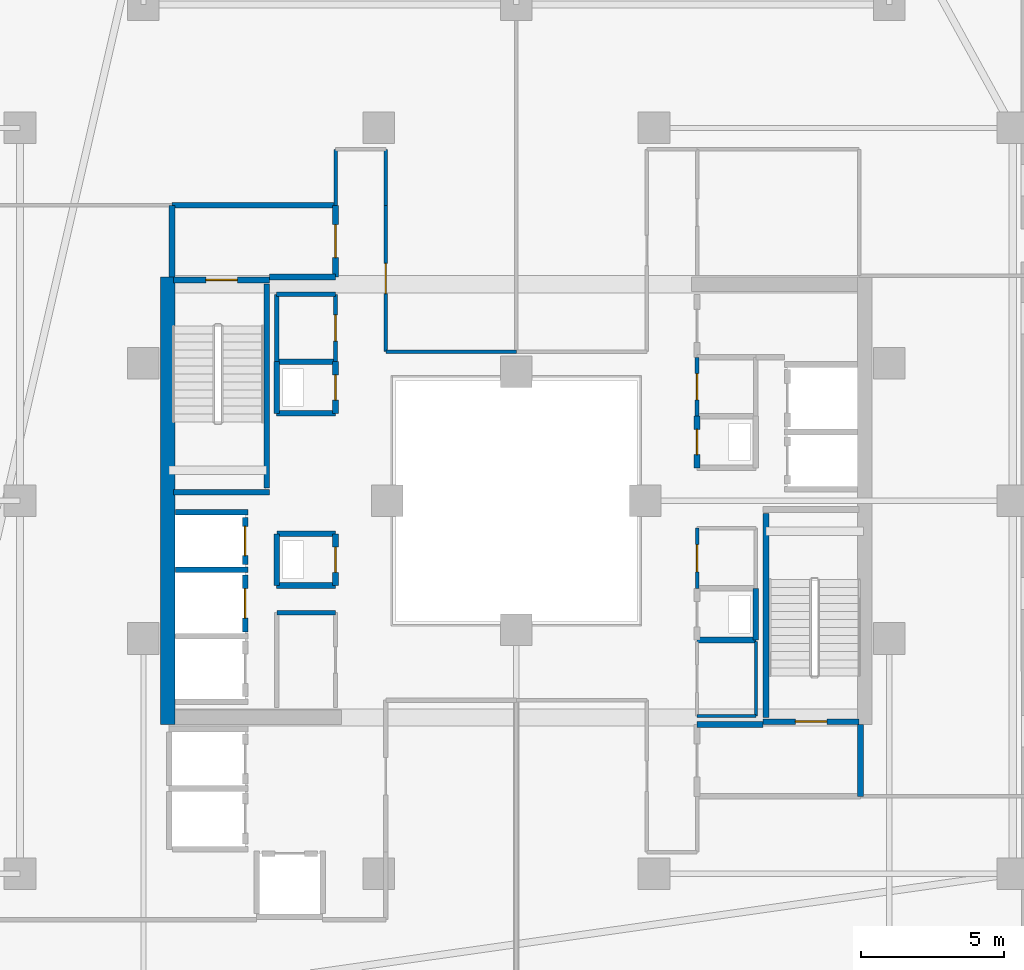
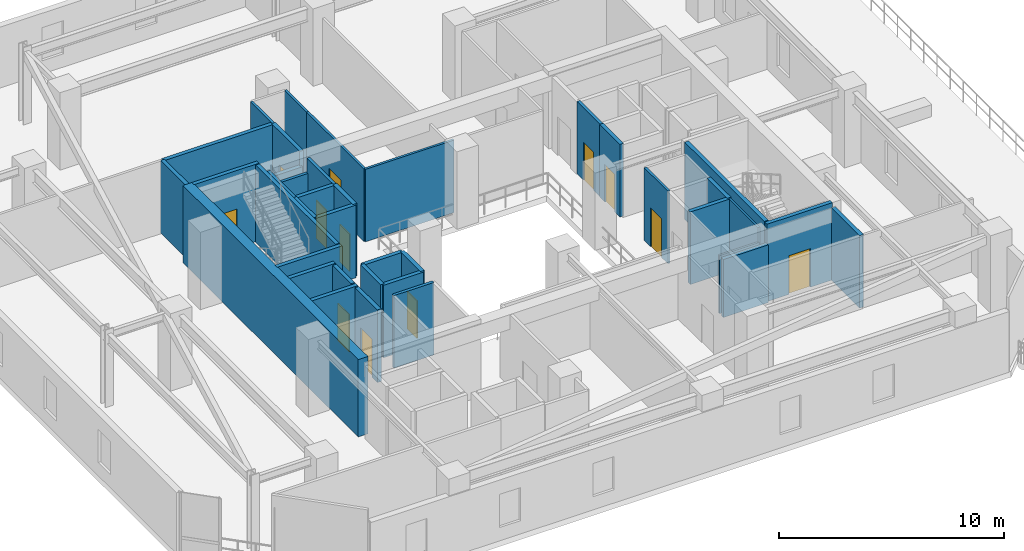
# One storey, part 25 of 33: 39 walls, 12 doors, 12 openings.
"""IFC4 building model written with IfcOpenShell, lengths in metres."""

from ifc_helpers import new_model, si_unit, direction, frame, frame_2d, origin, place, context, subcontext, project, spatial, rectangle, extrude, material, layer, layer_set, type_object, element, fill, save


model = new_model("IFC4")

# Units and contexts
model_context = context("Model", 3, precision=1e-05, world=origin(), true_north=direction((0.0, 1.0)))
body_context = subcontext(model_context, "Body", "Model", "MODEL_VIEW")
ifc_project = project(units=[si_unit("LENGTHUNIT", "METRE"), si_unit("AREAUNIT", "SQUARE_METRE"), si_unit("VOLUMEUNIT", "CUBIC_METRE"), si_unit("PLANEANGLEUNIT", "RADIAN"), si_unit("MASSUNIT", "GRAM", prefix="KILO")], contexts=[model_context])

# Site, building, storey
site_placement = place(None, origin())
site = spatial("IfcSite", under=ifc_project, at=site_placement, CompositionType="ELEMENT")
building_placement = place(site_placement, origin())
building = spatial("IfcBuilding", under=site, at=building_placement, Name="Thornwick Lancets Civic Towers", CompositionType="ELEMENT")
storey_placement = place(building_placement, frame((0.0, 0.0, 174.300048828125)))
storey = spatial("IfcBuildingStorey", under=building, at=storey_placement, Name="L46", CompositionType="ELEMENT", Elevation=174.300048828125)

# Wall, opening, door
ifc_material_1 = material(Name="Concrete blockwork C40/50", Category="masonry")
ifc_layer_1 = layer(ifc_material_1, 0.199951171875, Name="Concrete blockwork C40/50")
ifc_layer_set_1 = layer_set([ifc_layer_1], Name="Concrete blockwork C40/50")
wall_type_1 = type_object("IfcWallType", Name="WALL_COMP_200", PredefinedType="STANDARD", material=ifc_layer_set_1)
wall_1_placement = place(storey_placement, frame((79.050048828125, 24.780029296875, 0.0), z_axis=(0.0, 0.0, 1.0), x_axis=(0.0, 1.0, 0.0)))
wall_1 = element("IfcWall", 1, at=wall_1_placement, inside=storey, type_object=wall_type_1, Name="L46 Hoistway Front Wall FL-B2", PredefinedType="STANDARD", context=body_context, shape_type="SweptSolid", body=[
    extrude(rectangle(XDim=1.639892578125, YDim=0.199951171875, at=frame_2d((0.81982421875, 0.0))), origin(), (0.0, 0.0, 1.0), 3.93994140625),
])
opening_1_placement = place(wall_1_placement, frame((0.31005859375, 0.0, 0.0)))
opening_1 = element("IfcOpeningElement", 2, at=opening_1_placement, cuts=wall_1, Name="Opening LD-FL-B2", PredefinedType="OPENING", context=body_context, shape_type="SweptSolid", body=[
    extrude(rectangle(XDim=1.02001953125, YDim=2.06005859375, at=frame_2d((0.510009765625, 1.030029296875))), frame((0.0, 0.10986328125, 0.0), z_axis=(0.0, -1.0, 0.0), x_axis=(1.0, 0.0, 0.0)), (0.0, 0.0, 1.0), 0.219970703125),
])
ifc_material_2 = material(Name="Brushed bronze stainless steel", Category="steel")
door_type_1 = type_object("IfcDoorType", Name="DOOR_LIFT_SLIDE", OperationType="SLIDING_TO_LEFT", PredefinedType="DOOR", material=ifc_material_2)
door_1_placement = place(opening_1_placement, origin())
door_1 = element("IfcDoor", 3, at=door_1_placement, inside=storey, type_object=door_type_1, Name="L46 Sliding Lift Landing Door LD-FL-B2", OperationType="SLIDING_TO_LEFT", OverallHeight=2.06005859375, OverallWidth=1.02001953125, PredefinedType="DOOR", context=body_context, shape_type="SweptSolid", body=[
    extrude(rectangle(XDim=1.02001953125, YDim=2.06005859375, at=frame_2d((0.510009765625, 1.030029296875))), frame((0.0, 0.02490234375, 0.0), z_axis=(0.0, -1.0, 0.0), x_axis=(1.0, 0.0, 0.0)), (0.0, 0.0, 1.0), 0.050048828125),
])
fill(opening_1, door_1)

wall_2_placement = place(storey_placement, frame((79.050048828125, 22.429931640625, 0.0), z_axis=(0.0, 0.0, 1.0), x_axis=(0.0, 1.0, 0.0)))
wall_2 = element("IfcWall", 4, at=wall_2_placement, inside=storey, type_object=wall_type_1, Name="L46 Hoistway Front Wall PL-BH2", PredefinedType="STANDARD", context=body_context, shape_type="SweptSolid", body=[
    extrude(rectangle(XDim=1.989990234375, YDim=0.199951171875, at=frame_2d((0.9951171875, 0.0))), origin(), (0.0, 0.0, 1.0), 3.93994140625),
])
opening_2_placement = place(wall_2_placement, frame((0.485107421875, 0.0, 0.0)))
opening_2 = element("IfcOpeningElement", 5, at=opening_2_placement, cuts=wall_2, Name="Opening LD-PL-BH2", PredefinedType="OPENING", context=body_context, shape_type="SweptSolid", body=[
    extrude(rectangle(XDim=1.02001953125, YDim=2.06005859375, at=frame_2d((0.510009765625, 1.030029296875))), frame((0.0, 0.10986328125, 0.0), z_axis=(0.0, -1.0, 0.0), x_axis=(1.0, 0.0, 0.0)), (0.0, 0.0, 1.0), 0.219970703125),
])
door_2_placement = place(opening_2_placement, origin())
door_2 = element("IfcDoor", 6, at=door_2_placement, inside=storey, type_object=door_type_1, Name="L46 Sliding Lift Landing Door LD-PL-BH2", OperationType="SLIDING_TO_LEFT", OverallHeight=2.06005859375, OverallWidth=1.02001953125, PredefinedType="DOOR", context=body_context, shape_type="SweptSolid", body=[
    extrude(rectangle(XDim=1.02001953125, YDim=2.06005859375, at=frame_2d((0.510009765625, 1.030029296875))), frame((0.0, 0.02490234375, 0.0), z_axis=(0.0, -1.0, 0.0), x_axis=(1.0, 0.0, 0.0)), (0.0, 0.0, 1.0), 0.050048828125),
])
fill(opening_2, door_2)

# Walls
for number, where, z_axis, x_axis, name in (
    (7, (76.612060546875, 26.60009765625, 0.0), (0.0, 0.0, 1.0), (1.0, 0.0, 0.0), "L46 Hoistway Shaft Wall FL-B2 N"),
    (8, (76.612060546875, 24.60009765625, 0.0), (0.0, 0.0, 1.0), (1.0, 0.0, 0.0), "L46 Hoistway Shaft Wall FL-B2 S"),
):
    element("IfcWall", number, at=place(storey_placement, frame(where, z_axis=z_axis, x_axis=x_axis)), inside=storey, type_object=wall_type_1, Name=name, PredefinedType="STANDARD", context=body_context, shape_type="SweptSolid", body=[
        extrude(rectangle(XDim=2.535888671875, YDim=0.199951171875, at=frame_2d((1.26806640625, 0.0))), origin(), (0.0, 0.0, 1.0), 3.93994140625),
    ])
wall_3_placement = place(storey_placement, frame((100.5, 16.699951171875, 0.0), z_axis=(0.0, 0.0, 1.0), x_axis=(0.0, 1.0, 0.0)))
element("IfcWall", 9, at=wall_3_placement, inside=storey, type_object=wall_type_1, Name="L46 Partition L46-B-FFLOB1 E2", PredefinedType="STANDARD", context=body_context, shape_type="SweptSolid", body=[
    extrude(rectangle(XDim=2.5, YDim=0.199951171875, at=frame_2d((1.25, 0.0))), origin(), (0.0, 0.0, 1.0), 3.93994140625),
])
for number, where, z_axis, x_axis, name in (
    (10, (97.10009765625, 19.199951171875, 0.0), (0.0, 0.0, 1.0), (-1.0, 0.0, 0.0), "L46 Partition L46-B-FFLOB1 E3"),
    (11, (79.89990234375, 34.800048828125, 0.0), (0.0, 0.0, 1.0), (1.0, 0.0, 0.0), "L46 Partition L46-B-FFLOB2 E1"),
):
    element("IfcWall", number, at=place(storey_placement, frame(where, z_axis=z_axis, x_axis=x_axis)), inside=storey, type_object=wall_type_1, Name=name, PredefinedType="STANDARD", context=body_context, shape_type="SweptSolid", body=[
        extrude(rectangle(XDim=2.300048828125, YDim=0.199951171875, at=frame_2d((1.14990234375, 0.0))), origin(), (0.0, 0.0, 1.0), 3.14501953125),
    ])

# Wall, opening, door
wall_4_placement = place(storey_placement, frame((82.199951171875, 34.800048828125, 0.0), z_axis=(0.0, 0.0, 1.0), x_axis=(0.0, 1.0, 0.0)))
wall_4 = element("IfcWall", 12, at=wall_4_placement, inside=storey, type_object=wall_type_1, Name="L46 Partition L46-B-FFLOB2 E2", PredefinedType="STANDARD", context=body_context, shape_type="SweptSolid", body=[
    extrude(rectangle(XDim=2.5, YDim=0.199951171875, at=frame_2d((1.25, 0.0))), origin(), (0.0, 0.0, 1.0), 3.93994140625),
])
opening_3_placement = place(wall_4_placement, frame((0.675048828125, 0.0, 0.0)))
opening_3 = element("IfcOpeningElement", 13, at=opening_3_placement, cuts=wall_4, Name="Opening D-L46-2062", PredefinedType="OPENING", context=body_context, shape_type="SweptSolid", body=[
    extrude(rectangle(XDim=1.14990234375, YDim=2.10009765625, at=frame_2d((0.574951171875, 1.050048828125))), frame((0.0, 0.10986328125, 0.0), z_axis=(0.0, -1.0, 0.0), x_axis=(1.0, 0.0, 0.0)), (0.0, 0.0, 1.0), 0.219970703125),
])
ifc_material_3 = material(Name="Glazed fire-resisting steel", Category="steel")
door_type_2 = type_object("IfcDoorType", Name="DOOR_LOBBY_FD60", OperationType="NOTDEFINED", PredefinedType="DOOR", material=ifc_material_3)
door_3_placement = place(opening_3_placement, origin())
door_3 = element("IfcDoor", 14, at=door_3_placement, inside=storey, type_object=door_type_2, Name="L46 West Firefighting Lobby 2 Door", OperationType="SINGLE_SWING_LEFT", OverallHeight=2.10009765625, OverallWidth=1.14990234375, PredefinedType="DOOR", context=body_context, shape_type="SweptSolid", body=[
    extrude(rectangle(XDim=1.14990234375, YDim=2.10009765625, at=frame_2d((0.574951171875, 1.050048828125))), frame((0.0, 0.02490234375, 0.0), z_axis=(0.0, -1.0, 0.0), x_axis=(1.0, 0.0, 0.0)), (0.0, 0.0, 1.0), 0.050048828125),
])
fill(opening_3, door_3)

# Walls
wall_5_placement = place(storey_placement, frame((82.199951171875, 37.300048828125, 0.0), z_axis=(0.0, 0.0, 1.0), x_axis=(-1.0, 0.0, 0.0)))
element("IfcWall", 15, at=wall_5_placement, inside=storey, type_object=wall_type_1, Name="L46 Partition L46-B-FFLOB2 E3", PredefinedType="STANDARD", context=body_context, shape_type="SweptSolid", body=[
    extrude(rectangle(XDim=5.699951171875, YDim=0.199951171875, at=frame_2d((2.85009765625, 0.0))), origin(), (0.0, 0.0, 1.0), 3.93994140625),
])
wall_6_placement = place(storey_placement, frame((76.5, 37.300048828125, 0.0), z_axis=(0.0, 0.0, 1.0), x_axis=(0.0, -1.0, 0.0)))
element("IfcWall", 16, at=wall_6_placement, inside=storey, type_object=wall_type_1, Name="L46 Partition L46-B-FFLOB2 E4", PredefinedType="STANDARD", context=body_context, shape_type="SweptSolid", body=[
    extrude(rectangle(XDim=2.5, YDim=0.199951171875, at=frame_2d((1.25, 0.0))), origin(), (0.0, 0.0, 1.0), 3.93994140625),
])

# Wall, opening, door
wall_7_placement = place(storey_placement, frame((94.800048828125, 29.949951171875, 0.0), z_axis=(0.0, 0.0, 1.0), x_axis=(0.0, -1.0, 0.0)))
wall_7 = element("IfcWall", 17, at=wall_7_placement, inside=storey, type_object=wall_type_1, Name="L46 Partition L46-B-DUCT1 E4", PredefinedType="STANDARD", context=body_context, shape_type="SweptSolid", body=[
    extrude(rectangle(XDim=1.800048828125, YDim=0.199951171875, at=frame_2d((0.89990234375, 0.0))), origin(), (0.0, 0.0, 1.0), 3.93994140625),
])
opening_4_placement = place(wall_7_placement, frame((0.4599609375, 0.0, 0.0)))
opening_4 = element("IfcOpeningElement", 18, at=opening_4_placement, cuts=wall_7, Name="Opening D-L46-2063", PredefinedType="OPENING", context=body_context, shape_type="SweptSolid", body=[
    extrude(rectangle(XDim=0.8798828125, YDim=2.0400390625, at=frame_2d((0.43994140625, 1.02001953125))), frame((0.0, 0.10986328125, 0.0), z_axis=(0.0, -1.0, 0.0), x_axis=(1.0, 0.0, 0.0)), (0.0, 0.0, 1.0), 0.219970703125),
])
ifc_material_4 = material(Name="Steel riser access doorset", Category="steel")
door_type_3 = type_object("IfcDoorType", Name="DOOR_RISER_850", OperationType="NOTDEFINED", PredefinedType="DOOR", material=ifc_material_4)
door_4_placement = place(opening_4_placement, origin())
door_4 = element("IfcDoor", 19, at=door_4_placement, inside=storey, type_object=door_type_3, Name="L46 East Service Duct 1 Door", OperationType="SINGLE_SWING_RIGHT", OverallHeight=2.0400390625, OverallWidth=0.8798828125, PredefinedType="DOOR", context=body_context, shape_type="SweptSolid", body=[
    extrude(rectangle(XDim=0.8798828125, YDim=2.0400390625, at=frame_2d((0.43994140625, 1.02001953125))), frame((0.0, 0.02490234375, 0.0), z_axis=(0.0, -1.0, 0.0), x_axis=(1.0, 0.0, 0.0)), (0.0, 0.0, 1.0), 0.050048828125),
])
fill(opening_4, door_4)

# Walls
wall_8_placement = place(storey_placement, frame((94.800048828125, 22.14990234375, 0.0), z_axis=(0.0, 0.0, 1.0), x_axis=(1.0, 0.0, 0.0)))
element("IfcWall", 20, at=wall_8_placement, inside=storey, type_object=wall_type_1, Name="L46 Partition L46-B-RISER1 E1", PredefinedType="STANDARD", context=body_context, shape_type="SweptSolid", body=[
    extrude(rectangle(XDim=2.050048828125, YDim=0.199951171875, at=frame_2d((1.02490234375, 0.0))), origin(), (0.0, 0.0, 1.0), 3.93994140625),
])
wall_9_placement = place(storey_placement, frame((96.85009765625, 22.14990234375, 0.0), z_axis=(0.0, 0.0, 1.0), x_axis=(0.0, 1.0, 0.0)))
element("IfcWall", 21, at=wall_9_placement, inside=storey, type_object=wall_type_1, Name="L46 Partition L46-B-RISER1 E2", PredefinedType="STANDARD", context=body_context, shape_type="SweptSolid", body=[
    extrude(rectangle(XDim=1.800048828125, YDim=0.199951171875, at=frame_2d((0.89990234375, 0.0))), origin(), (0.0, 0.0, 1.0), 3.93994140625),
])
wall_10_placement = place(storey_placement, frame((80.14990234375, 24.050048828125, 0.0), z_axis=(0.0, 0.0, 1.0), x_axis=(1.0, 0.0, 0.0)))
element("IfcWall", 22, at=wall_10_placement, inside=storey, type_object=wall_type_1, Name="L46 Partition L46-B-DUCT2 E1", PredefinedType="STANDARD", context=body_context, shape_type="SweptSolid", body=[
    extrude(rectangle(XDim=2.050048828125, YDim=0.199951171875, at=frame_2d((1.02490234375, 0.0))), origin(), (0.0, 0.0, 1.0), 3.93994140625),
])

# Wall, opening, door
wall_11_placement = place(storey_placement, frame((82.199951171875, 24.050048828125, 0.0), z_axis=(0.0, 0.0, 1.0), x_axis=(0.0, 1.0, 0.0)))
wall_11 = element("IfcWall", 23, at=wall_11_placement, inside=storey, type_object=wall_type_1, Name="L46 Partition L46-B-DUCT2 E2", PredefinedType="STANDARD", context=body_context, shape_type="SweptSolid", body=[
    extrude(rectangle(XDim=1.800048828125, YDim=0.199951171875, at=frame_2d((0.89990234375, 0.0))), origin(), (0.0, 0.0, 1.0), 3.93994140625),
])
opening_5_placement = place(wall_11_placement, frame((0.4599609375, 0.0, 0.0)))
opening_5 = element("IfcOpeningElement", 24, at=opening_5_placement, cuts=wall_11, Name="Opening D-L46-2065", PredefinedType="OPENING", context=body_context, shape_type="SweptSolid", body=[
    extrude(rectangle(XDim=0.8798828125, YDim=2.0400390625, at=frame_2d((0.43994140625, 1.02001953125))), frame((0.0, 0.10986328125, 0.0), z_axis=(0.0, -1.0, 0.0), x_axis=(1.0, 0.0, 0.0)), (0.0, 0.0, 1.0), 0.219970703125),
])
door_5_placement = place(opening_5_placement, origin())
door_5 = element("IfcDoor", 25, at=door_5_placement, inside=storey, type_object=door_type_3, Name="L46 West Service Duct 2 Door", OperationType="SINGLE_SWING_RIGHT", OverallHeight=2.0400390625, OverallWidth=0.8798828125, PredefinedType="DOOR", context=body_context, shape_type="SweptSolid", body=[
    extrude(rectangle(XDim=0.8798828125, YDim=2.0400390625, at=frame_2d((0.43994140625, 1.02001953125))), frame((0.0, 0.02490234375, 0.0), z_axis=(0.0, -1.0, 0.0), x_axis=(1.0, 0.0, 0.0)), (0.0, 0.0, 1.0), 0.050048828125),
])
fill(opening_5, door_5)

# Walls
wall_12_placement = place(storey_placement, frame((82.199951171875, 25.85009765625, 0.0), z_axis=(0.0, 0.0, 1.0), x_axis=(-1.0, 0.0, 0.0)))
element("IfcWall", 26, at=wall_12_placement, inside=storey, type_object=wall_type_1, Name="L46 Partition L46-B-DUCT2 E3", PredefinedType="STANDARD", context=body_context, shape_type="SweptSolid", body=[
    extrude(rectangle(XDim=2.050048828125, YDim=0.199951171875, at=frame_2d((1.02490234375, 0.0))), origin(), (0.0, 0.0, 1.0), 3.93994140625),
])
wall_13_placement = place(storey_placement, frame((80.14990234375, 25.85009765625, 0.0), z_axis=(0.0, 0.0, 1.0), x_axis=(0.0, -1.0, 0.0)))
element("IfcWall", 27, at=wall_13_placement, inside=storey, type_object=wall_type_1, Name="L46 Partition L46-B-DUCT2 E4", PredefinedType="STANDARD", context=body_context, shape_type="SweptSolid", body=[
    extrude(rectangle(XDim=1.800048828125, YDim=0.199951171875, at=frame_2d((0.89990234375, 0.0))), origin(), (0.0, 0.0, 1.0), 3.93994140625),
])
wall_14_placement = place(storey_placement, frame((80.14990234375, 30.050048828125, 0.0), z_axis=(0.0, 0.0, 1.0), x_axis=(1.0, 0.0, 0.0)))
element("IfcWall", 28, at=wall_14_placement, inside=storey, type_object=wall_type_1, Name="L46 Partition L46-B-RISER2 E1", PredefinedType="STANDARD", context=body_context, shape_type="SweptSolid", body=[
    extrude(rectangle(XDim=2.050048828125, YDim=0.199951171875, at=frame_2d((1.02490234375, 0.0))), origin(), (0.0, 0.0, 1.0), 3.93994140625),
])

# Wall, opening, door
wall_15_placement = place(storey_placement, frame((82.199951171875, 30.050048828125, 0.0), z_axis=(0.0, 0.0, 1.0), x_axis=(0.0, 1.0, 0.0)))
wall_15 = element("IfcWall", 29, at=wall_15_placement, inside=storey, type_object=wall_type_1, Name="L46 Partition L46-B-RISER2 E2", PredefinedType="STANDARD", context=body_context, shape_type="SweptSolid", body=[
    extrude(rectangle(XDim=1.800048828125, YDim=0.199951171875, at=frame_2d((0.89990234375, 0.0))), origin(), (0.0, 0.0, 1.0), 3.93994140625),
])
opening_6_placement = place(wall_15_placement, frame((0.4599609375, 0.0, 0.0)))
opening_6 = element("IfcOpeningElement", 30, at=opening_6_placement, cuts=wall_15, Name="Opening D-L46-2066", PredefinedType="OPENING", context=body_context, shape_type="SweptSolid", body=[
    extrude(rectangle(XDim=0.8798828125, YDim=2.0400390625, at=frame_2d((0.43994140625, 1.02001953125))), frame((0.0, 0.10986328125, 0.0), z_axis=(0.0, -1.0, 0.0), x_axis=(1.0, 0.0, 0.0)), (0.0, 0.0, 1.0), 0.219970703125),
])
door_6_placement = place(opening_6_placement, origin())
door_6 = element("IfcDoor", 31, at=door_6_placement, inside=storey, type_object=door_type_3, Name="L46 West Service Riser 2 Door", OperationType="SINGLE_SWING_LEFT", OverallHeight=2.0400390625, OverallWidth=0.8798828125, PredefinedType="DOOR", context=body_context, shape_type="SweptSolid", body=[
    extrude(rectangle(XDim=0.8798828125, YDim=2.0400390625, at=frame_2d((0.43994140625, 1.02001953125))), frame((0.0, 0.02490234375, 0.0), z_axis=(0.0, -1.0, 0.0), x_axis=(1.0, 0.0, 0.0)), (0.0, 0.0, 1.0), 0.050048828125),
])
fill(opening_6, door_6)

# Walls
wall_16_placement = place(storey_placement, frame((82.199951171875, 31.85009765625, 0.0), z_axis=(0.0, 0.0, 1.0), x_axis=(-1.0, 0.0, 0.0)))
element("IfcWall", 32, at=wall_16_placement, inside=storey, type_object=wall_type_1, Name="L46 Partition L46-B-RISER2 E3", PredefinedType="STANDARD", context=body_context, shape_type="SweptSolid", body=[
    extrude(rectangle(XDim=2.050048828125, YDim=0.199951171875, at=frame_2d((1.02490234375, 0.0))), origin(), (0.0, 0.0, 1.0), 3.93994140625),
])
wall_17_placement = place(storey_placement, frame((80.14990234375, 31.85009765625, 0.0), z_axis=(0.0, 0.0, 1.0), x_axis=(0.0, -1.0, 0.0)))
element("IfcWall", 33, at=wall_17_placement, inside=storey, type_object=wall_type_1, Name="L46 Partition L46-B-RISER2 E4", PredefinedType="STANDARD", context=body_context, shape_type="SweptSolid", body=[
    extrude(rectangle(XDim=1.800048828125, YDim=0.199951171875, at=frame_2d((0.89990234375, 0.0))), origin(), (0.0, 0.0, 1.0), 3.93994140625),
])
ifc_material_5 = material(Name="Concrete C50/60", Category="concrete")
ifc_layer_2 = layer(ifc_material_5, 0.5, Name="Concrete C50/60")
ifc_layer_set_2 = layer_set([ifc_layer_2], Name="Concrete C50/60")
wall_type_2 = type_object("IfcWallType", Name="WALL_CORE_500", PredefinedType="SHEAR", material=ifc_layer_set_2)
wall_18_placement = place(storey_placement, frame((76.35009765625, 19.199951171875, 0.0), z_axis=(0.0, 0.0, 1.0), x_axis=(0.0, 1.0, 0.0)))
element("IfcWall", 34, at=wall_18_placement, inside=storey, type_object=wall_type_2, Name="L46 Split Core B2 Shear Wall W", PredefinedType="SHEAR", context=body_context, shape_type="SweptSolid", body=[
    extrude(rectangle(XDim=15.60009765625, YDim=0.5, at=frame_2d((7.800048828125, 0.0))), origin(), (0.0, 0.0, 1.0), 4.199951171875),
])
ifc_material_6 = material(Name="Lightweight cellular office partition")
ifc_layer_3 = layer(ifc_material_6, 0.10009765625, Name="Lightweight cellular office partition")
ifc_layer_set_3 = layer_set([ifc_layer_3], Name="Lightweight cellular office partition")
wall_type_3 = type_object("IfcWallType", Name="WALL_PART_100", PredefinedType="PARTITIONING", material=ifc_layer_set_3)
wall_19_placement = place(storey_placement, frame((94.800048828125, 19.5, 0.0), z_axis=(0.0, 0.0, 1.0), x_axis=(1.0, 0.0, 0.0)))
element("IfcWall", 35, at=wall_19_placement, inside=storey, type_object=wall_type_3, Name="L46 Partition L46-B-CLN E1", PredefinedType="PARTITIONING", context=body_context, shape_type="SweptSolid", body=[
    extrude(rectangle(XDim=2.050048828125, YDim=0.10009765625, at=frame_2d((1.02490234375, 0.0))), origin(), (0.0, 0.0, 1.0), 3.14501953125),
])
wall_20_placement = place(storey_placement, frame((96.85009765625, 19.5, 0.0), z_axis=(0.0, 0.0, 1.0), x_axis=(0.0, 1.0, 0.0)))
element("IfcWall", 36, at=wall_20_placement, inside=storey, type_object=wall_type_3, Name="L46 Partition L46-B-CLN E2", PredefinedType="PARTITIONING", context=body_context, shape_type="SweptSolid", body=[
    extrude(rectangle(XDim=2.60009765625, YDim=0.10009765625, at=frame_2d((1.300048828125, 0.0))), origin(), (0.0, 0.0, 1.0), 3.93994140625),
])

# Wall, opening, door
ifc_material_7 = material(Name="Acoustic gypsum board partition")
ifc_layer_4 = layer(ifc_material_7, 0.1201171875, Name="Acoustic gypsum board partition")
ifc_layer_set_4 = layer_set([ifc_layer_4], Name="Acoustic gypsum board partition")
wall_type_4 = type_object("IfcWallType", Name="WALL_PART_120", PredefinedType="PARTITIONING", material=ifc_layer_set_4)
wall_21_placement = place(storey_placement, frame((94.800048828125, 23.949951171875, 0.0), z_axis=(0.0, 0.0, 1.0), x_axis=(0.0, 1.0, 0.0)))
wall_21 = element("IfcWall", 37, at=wall_21_placement, inside=storey, type_object=wall_type_4, Name="L46 Partition L46-B-ITR E1", PredefinedType="PARTITIONING", context=body_context, shape_type="SweptSolid", body=[
    extrude(rectangle(XDim=2.10009765625, YDim=0.1201171875, at=frame_2d((1.050048828125, 0.0))), origin(), (0.0, 0.0, 1.0), 3.93994140625),
])
opening_7_placement = place(wall_21_placement, frame((0.574951171875, 0.0, 0.0)))
opening_7 = element("IfcOpeningElement", 38, at=opening_7_placement, cuts=wall_21, Name="Opening D-L46-2068", PredefinedType="OPENING", context=body_context, shape_type="SweptSolid", body=[
    extrude(rectangle(XDim=0.949951171875, YDim=2.10009765625, at=frame_2d((0.47509765625, 1.050048828125))), frame((0.0, 0.070068359375, 0.0), z_axis=(0.0, -1.0, 0.0), x_axis=(1.0, 0.0, 0.0)), (0.0, 0.0, 1.0), 0.14013671875),
])
ifc_material_8 = material(Name="European oak acoustic doorset")
door_type_4 = type_object("IfcDoorType", Name="DOOR_OFFICE_950", OperationType="NOTDEFINED", PredefinedType="DOOR", material=ifc_material_8)
door_7_placement = place(opening_7_placement, origin())
door_7 = element("IfcDoor", 39, at=door_7_placement, inside=storey, type_object=door_type_4, Name="L46 Tower B Comms Patch Room Door", OperationType="SINGLE_SWING_LEFT", OverallHeight=2.10009765625, OverallWidth=0.949951171875, PredefinedType="DOOR", context=body_context, shape_type="SweptSolid", body=[
    extrude(rectangle(XDim=0.949951171875, YDim=2.10009765625, at=frame_2d((0.47509765625, 1.050048828125))), frame((0.0, 0.02490234375, 0.0), z_axis=(0.0, -1.0, 0.0), x_axis=(1.0, 0.0, 0.0)), (0.0, 0.0, 1.0), 0.050048828125),
])
fill(opening_7, door_7)

wall_22_placement = place(storey_placement, frame((83.949951171875, 32.199951171875, 0.0), z_axis=(0.0, 0.0, 1.0), x_axis=(0.0, 1.0, 0.0)))
wall_22 = element("IfcWall", 40, at=wall_22_placement, inside=storey, type_object=wall_type_4, Name="L46 Partition L46-B-E3 E1", PredefinedType="PARTITIONING", context=body_context, shape_type="SweptSolid", body=[
    extrude(rectangle(XDim=5.10009765625, YDim=0.1201171875, at=frame_2d((2.550048828125, 0.0))), origin(), (0.0, 0.0, 1.0), 3.93994140625),
])
opening_8_placement = place(wall_22_placement, frame((2.02490234375, 0.0, 0.0)))
opening_8 = element("IfcOpeningElement", 41, at=opening_8_placement, cuts=wall_22, Name="Opening D-L46-2082", PredefinedType="OPENING", context=body_context, shape_type="SweptSolid", body=[
    extrude(rectangle(XDim=1.050048828125, YDim=2.10009765625, at=frame_2d((0.52490234375, 1.050048828125))), frame((0.0, 0.070068359375, 0.0), z_axis=(0.0, -1.0, 0.0), x_axis=(1.0, 0.0, 0.0)), (0.0, 0.0, 1.0), 0.14013671875),
])
ifc_material_9 = material(Name="Glazed European oak executive doorset")
door_type_5 = type_object("IfcDoorType", Name="DOOR_OFFICE_1050", OperationType="NOTDEFINED", PredefinedType="DOOR", material=ifc_material_9)
door_8_placement = place(opening_8_placement, origin())
door_8 = element("IfcDoor", 42, at=door_8_placement, inside=storey, type_object=door_type_5, Name="L46 Tower B Civic Seminar Room Door", OperationType="SINGLE_SWING_LEFT", OverallHeight=2.10009765625, OverallWidth=1.050048828125, PredefinedType="DOOR", context=body_context, shape_type="SweptSolid", body=[
    extrude(rectangle(XDim=1.050048828125, YDim=2.10009765625, at=frame_2d((0.52490234375, 1.050048828125))), frame((0.0, 0.02490234375, 0.0), z_axis=(0.0, -1.0, 0.0), x_axis=(1.0, 0.0, 0.0)), (0.0, 0.0, 1.0), 0.050048828125),
])
fill(opening_8, door_8)

# Walls
for number, where, z_axis, x_axis, name in (
    (43, (83.949951171875, 37.300048828125, 0.0), (0.0, 0.0, 1.0), (0.0, 1.0, 0.0), "L46 Partition L46-B-E3 E2"),
    (44, (82.199951171875, 39.25, 0.0), (0.0, 0.0, 1.0), (0.0, -1.0, 0.0), "L46 Partition L46-B-E3 E4"),
):
    element("IfcWall", number, at=place(storey_placement, frame(where, z_axis=z_axis, x_axis=x_axis)), inside=storey, type_object=wall_type_4, Name=name, PredefinedType="PARTITIONING", context=body_context, shape_type="SweptSolid", body=[
        extrude(rectangle(XDim=1.949951171875, YDim=0.1201171875, at=frame_2d((0.97509765625, 0.0))), origin(), (0.0, 0.0, 1.0), 3.93994140625),
    ])
wall_23_placement = place(storey_placement, frame((88.5, 32.199951171875, 0.0), z_axis=(0.0, 0.0, 1.0), x_axis=(-1.0, 0.0, 0.0)))
element("IfcWall", 45, at=wall_23_placement, inside=storey, type_object=wall_type_4, Name="L46 Partition L46-B-E3 E11", PredefinedType="PARTITIONING", context=body_context, shape_type="SweptSolid", body=[
    extrude(rectangle(XDim=4.550048828125, YDim=0.1201171875, at=frame_2d((2.27490234375, 0.0))), origin(), (0.0, 0.0, 1.0), 3.93994140625),
])

# Wall, opening, door
ifc_material_10 = material(Name="Twin-stud acoustic gypsum board")
ifc_layer_5 = layer(ifc_material_10, 0.14990234375, Name="Twin-stud acoustic gypsum board")
ifc_layer_set_5 = layer_set([ifc_layer_5], Name="Twin-stud acoustic gypsum board")
wall_type_5 = type_object("IfcWallType", Name="WALL_PART_150", PredefinedType="PARTITIONING", material=ifc_layer_set_5)
wall_24_placement = place(storey_placement, frame((94.800048828125, 29.949951171875, 0.0), z_axis=(0.0, 0.0, 1.0), x_axis=(0.0, 1.0, 0.0)))
wall_24 = element("IfcWall", 46, at=wall_24_placement, inside=storey, type_object=wall_type_5, Name="L46 Partition L46-B-AWC E1", PredefinedType="PARTITIONING", context=body_context, shape_type="SweptSolid", body=[
    extrude(rectangle(XDim=2.050048828125, YDim=0.14990234375, at=frame_2d((1.02490234375, 0.0))), origin(), (0.0, 0.0, 1.0), 3.93994140625),
])
opening_9_placement = place(wall_24_placement, frame((0.56494140625, 0.0, 0.0)))
opening_9 = element("IfcOpeningElement", 47, at=opening_9_placement, cuts=wall_24, Name="Opening D-L46-2069", PredefinedType="OPENING", context=body_context, shape_type="SweptSolid", body=[
    extrude(rectangle(XDim=0.919921875, YDim=2.080078125, at=frame_2d((0.4599609375, 1.0400390625))), frame((0.0, 0.0849609375, 0.0), z_axis=(0.0, -1.0, 0.0), x_axis=(1.0, 0.0, 0.0)), (0.0, 0.0, 1.0), 0.169921875),
])
ifc_material_11 = material(Name="Moisture-resistant oak doorset")
door_type_6 = type_object("IfcDoorType", Name="DOOR_WC_900", OperationType="NOTDEFINED", PredefinedType="DOOR", material=ifc_material_11)
door_9_placement = place(opening_9_placement, origin())
door_9 = element("IfcDoor", 48, at=door_9_placement, inside=storey, type_object=door_type_6, Name="L46 Tower B Accessible WC Door", OperationType="SINGLE_SWING_RIGHT", OverallHeight=2.080078125, OverallWidth=0.919921875, PredefinedType="DOOR", context=body_context, shape_type="SweptSolid", body=[
    extrude(rectangle(XDim=0.919921875, YDim=2.080078125, at=frame_2d((0.4599609375, 1.0400390625))), frame((0.0, 0.02490234375, 0.0), z_axis=(0.0, -1.0, 0.0), x_axis=(1.0, 0.0, 0.0)), (0.0, 0.0, 1.0), 0.050048828125),
])
fill(opening_9, door_9)

# Walls
wall_25_placement = place(storey_placement, frame((82.199951171875, 23.10009765625, 0.0), z_axis=(0.0, 0.0, 1.0), x_axis=(-1.0, 0.0, 0.0)))
element("IfcWall", 49, at=wall_25_placement, inside=storey, type_object=wall_type_5, Name="L46 Partition L46-B-MWC E3", PredefinedType="PARTITIONING", context=body_context, shape_type="SweptSolid", body=[
    extrude(rectangle(XDim=2.050048828125, YDim=0.14990234375, at=frame_2d((1.02490234375, 0.0))), origin(), (0.0, 0.0, 1.0), 3.93994140625),
])
wall_26_placement = place(storey_placement, frame((80.14990234375, 31.85009765625, 0.0), z_axis=(0.0, 0.0, 1.0), x_axis=(0.0, 1.0, 0.0)))
element("IfcWall", 50, at=wall_26_placement, inside=storey, type_object=wall_type_5, Name="L46 Partition L46-B-FWC E1", PredefinedType="PARTITIONING", context=body_context, shape_type="SweptSolid", body=[
    extrude(rectangle(XDim=2.349853515625, YDim=0.14990234375, at=frame_2d((1.1748046875, 0.0))), origin(), (0.0, 0.0, 1.0), 3.93994140625),
])
wall_27_placement = place(storey_placement, frame((80.14990234375, 34.199951171875, 0.0), z_axis=(0.0, 0.0, 1.0), x_axis=(1.0, 0.0, 0.0)))
element("IfcWall", 51, at=wall_27_placement, inside=storey, type_object=wall_type_5, Name="L46 Partition L46-B-FWC E2", PredefinedType="PARTITIONING", context=body_context, shape_type="SweptSolid", body=[
    extrude(rectangle(XDim=2.050048828125, YDim=0.14990234375, at=frame_2d((1.02490234375, 0.0))), origin(), (0.0, 0.0, 1.0), 3.14501953125),
])

# Wall, opening, door
wall_28_placement = place(storey_placement, frame((82.199951171875, 34.199951171875, 0.0), z_axis=(0.0, 0.0, 1.0), x_axis=(0.0, -1.0, 0.0)))
wall_28 = element("IfcWall", 52, at=wall_28_placement, inside=storey, type_object=wall_type_5, Name="L46 Partition L46-B-FWC E3", PredefinedType="PARTITIONING", context=body_context, shape_type="SweptSolid", body=[
    extrude(rectangle(XDim=2.349853515625, YDim=0.14990234375, at=frame_2d((1.1748046875, 0.0))), origin(), (0.0, 0.0, 1.0), 3.93994140625),
])
opening_10_placement = place(wall_28_placement, frame((0.715087890625, 0.0, 0.0)))
opening_10 = element("IfcOpeningElement", 53, at=opening_10_placement, cuts=wall_28, Name="Opening D-L46-2072", PredefinedType="OPENING", context=body_context, shape_type="SweptSolid", body=[
    extrude(rectangle(XDim=0.919921875, YDim=2.080078125, at=frame_2d((0.4599609375, 1.0400390625))), frame((0.0, 0.0849609375, 0.0), z_axis=(0.0, -1.0, 0.0), x_axis=(1.0, 0.0, 0.0)), (0.0, 0.0, 1.0), 0.169921875),
])
door_10_placement = place(opening_10_placement, origin())
door_10 = element("IfcDoor", 54, at=door_10_placement, inside=storey, type_object=door_type_6, Name="L46 Tower B Female WC Door", OperationType="SINGLE_SWING_LEFT", OverallHeight=2.080078125, OverallWidth=0.919921875, PredefinedType="DOOR", context=body_context, shape_type="SweptSolid", body=[
    extrude(rectangle(XDim=0.919921875, YDim=2.080078125, at=frame_2d((0.4599609375, 1.0400390625))), frame((0.0, 0.02490234375, 0.0), z_axis=(0.0, -1.0, 0.0), x_axis=(1.0, 0.0, 0.0)), (0.0, 0.0, 1.0), 0.050048828125),
])
fill(opening_10, door_10)

ifc_material_12 = material(Name="Concrete C40/50", Category="concrete")
ifc_layer_6 = layer(ifc_material_12, 0.199951171875, Name="Concrete C40/50")
ifc_layer_set_6 = layer_set([ifc_layer_6], Name="Concrete C40/50")
wall_type_6 = type_object("IfcWallType", Name="WALL_SHAFT_200", PredefinedType="SHEAR", material=ifc_layer_set_6)
wall_29_placement = place(storey_placement, frame((100.449951171875, 19.300048828125, 0.0), z_axis=(0.0, 0.0, 1.0), x_axis=(-1.0, 0.0, 0.0)))
wall_29 = element("IfcWall", 55, at=wall_29_placement, inside=storey, type_object=wall_type_6, Name="L46 ST-B1 Fire Stair Core Wall NEAR", PredefinedType="SHEAR", context=body_context, shape_type="SweptSolid", body=[
    extrude(rectangle(XDim=3.349853515625, YDim=0.199951171875, at=frame_2d((1.6748046875, 0.0))), origin(), (0.0, 0.0, 1.0), 4.199951171875),
])
opening_11_placement = place(wall_29_placement, frame((1.125, 0.0, 0.0)))
opening_11 = element("IfcOpeningElement", 56, at=opening_11_placement, cuts=wall_29, Name="Opening D-ST-B1-L46", PredefinedType="OPENING", context=body_context, shape_type="SweptSolid", body=[
    extrude(rectangle(XDim=1.10009765625, YDim=2.10009765625, at=frame_2d((0.550048828125, 1.050048828125))), frame((0.0, 0.10986328125, 0.0), z_axis=(0.0, -1.0, 0.0), x_axis=(1.0, 0.0, 0.0)), (0.0, 0.0, 1.0), 0.219970703125),
])
ifc_material_13 = material(Name="Fire-resisting steel and hardwood", Category="steel")
door_type_7 = type_object("IfcDoorType", Name="DOOR_STAIR_FD60", OperationType="NOTDEFINED", PredefinedType="DOOR", material=ifc_material_13)
door_11_placement = place(opening_11_placement, origin())
door_11 = element("IfcDoor", 57, at=door_11_placement, inside=storey, type_object=door_type_7, Name="L46 ST-B1 Exit Stair Door", OperationType="SINGLE_SWING_RIGHT", OverallHeight=2.10009765625, OverallWidth=1.10009765625, PredefinedType="DOOR", context=body_context, shape_type="SweptSolid", body=[
    extrude(rectangle(XDim=1.10009765625, YDim=2.10009765625, at=frame_2d((0.550048828125, 1.050048828125))), frame((0.0, 0.02490234375, 0.0), z_axis=(0.0, -1.0, 0.0), x_axis=(1.0, 0.0, 0.0)), (0.0, 0.0, 1.0), 0.050048828125),
])
fill(opening_11, door_11)

# Wall
wall_30_placement = place(storey_placement, frame((97.202880859375, 26.550048828125, 0.0), z_axis=(0.0, 0.0, 1.0), x_axis=(0.0, -1.0, 0.0)))
element("IfcWall", 58, at=wall_30_placement, inside=storey, type_object=wall_type_6, Name="L46 ST-B1 Fire Stair Core Wall RIGHT", PredefinedType="SHEAR", context=body_context, shape_type="SweptSolid", body=[
    extrude(rectangle(XDim=7.10009765625, YDim=0.199951171875, at=frame_2d((3.550048828125, 0.0))), origin(), (0.0, 0.0, 1.0), 4.199951171875),
])

# Wall, opening, door
wall_31_placement = place(storey_placement, frame((76.550048828125, 34.699951171875, 0.0), z_axis=(0.0, 0.0, 1.0), x_axis=(1.0, 0.0, 0.0)))
wall_31 = element("IfcWall", 59, at=wall_31_placement, inside=storey, type_object=wall_type_6, Name="L46 ST-B2 Fire Stair Core Wall NEAR", PredefinedType="SHEAR", context=body_context, shape_type="SweptSolid", body=[
    extrude(rectangle(XDim=3.349853515625, YDim=0.199951171875, at=frame_2d((1.6748046875, 0.0))), origin(), (0.0, 0.0, 1.0), 4.199951171875),
])
opening_12_placement = place(wall_31_placement, frame((1.125, 0.0, 0.0)))
opening_12 = element("IfcOpeningElement", 60, at=opening_12_placement, cuts=wall_31, Name="Opening D-ST-B2-L46", PredefinedType="OPENING", context=body_context, shape_type="SweptSolid", body=[
    extrude(rectangle(XDim=1.10009765625, YDim=2.10009765625, at=frame_2d((0.550048828125, 1.050048828125))), frame((0.0, 0.10986328125, 0.0), z_axis=(0.0, -1.0, 0.0), x_axis=(1.0, 0.0, 0.0)), (0.0, 0.0, 1.0), 0.219970703125),
])
door_12_placement = place(opening_12_placement, origin())
door_12 = element("IfcDoor", 61, at=door_12_placement, inside=storey, type_object=door_type_7, Name="L46 ST-B2 Exit Stair Door", OperationType="SINGLE_SWING_LEFT", OverallHeight=2.10009765625, OverallWidth=1.10009765625, PredefinedType="DOOR", context=body_context, shape_type="SweptSolid", body=[
    extrude(rectangle(XDim=1.10009765625, YDim=2.10009765625, at=frame_2d((0.550048828125, 1.050048828125))), frame((0.0, 0.02490234375, 0.0), z_axis=(0.0, -1.0, 0.0), x_axis=(1.0, 0.0, 0.0)), (0.0, 0.0, 1.0), 0.050048828125),
])
fill(opening_12, door_12)

# Walls
wall_32_placement = place(storey_placement, frame((79.89990234375, 27.300048828125, 0.0), z_axis=(0.0, 0.0, 1.0), x_axis=(-1.0, 0.0, 0.0)))
element("IfcWall", 62, at=wall_32_placement, inside=storey, type_object=wall_type_6, Name="L46 ST-B2 Fire Stair Core Wall FAR", PredefinedType="SHEAR", context=body_context, shape_type="SweptSolid", body=[
    extrude(rectangle(XDim=3.349853515625, YDim=0.199951171875, at=frame_2d((1.6748046875, 0.0))), origin(), (0.0, 0.0, 1.0), 4.199951171875),
])
wall_33_placement = place(storey_placement, frame((79.797119140625, 27.449951171875, 0.0), z_axis=(0.0, 0.0, 1.0), x_axis=(0.0, 1.0, 0.0)))
element("IfcWall", 63, at=wall_33_placement, inside=storey, type_object=wall_type_6, Name="L46 ST-B2 Fire Stair Core Wall RIGHT", PredefinedType="SHEAR", context=body_context, shape_type="SweptSolid", body=[
    extrude(rectangle(XDim=7.10009765625, YDim=0.199951171875, at=frame_2d((3.550048828125, 0.0))), origin(), (0.0, 0.0, 1.0), 4.199951171875),
])

save(model, "model.ifc")
